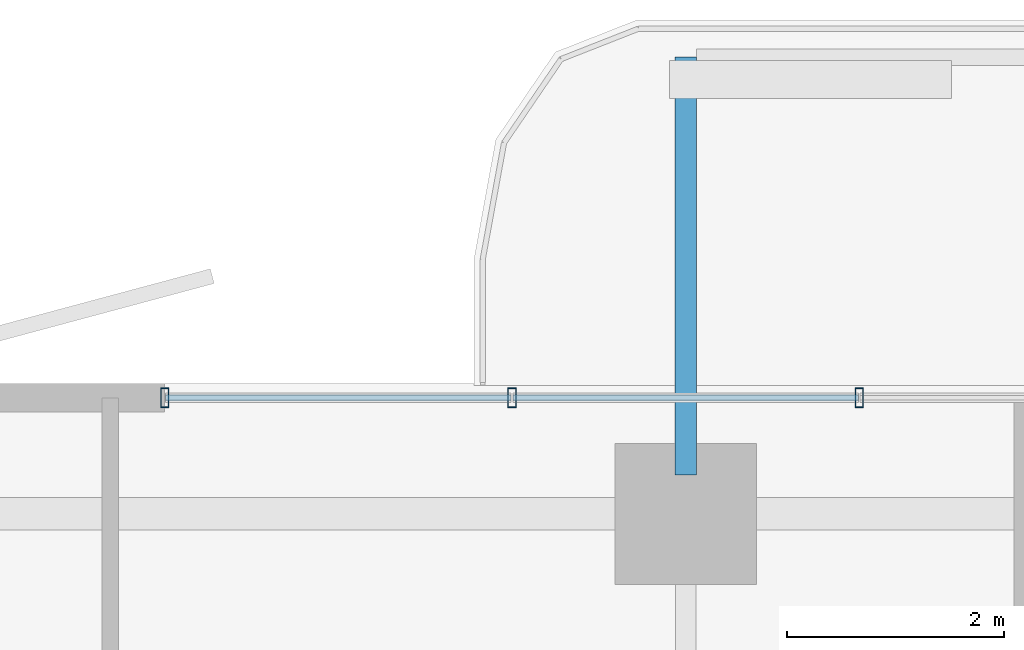
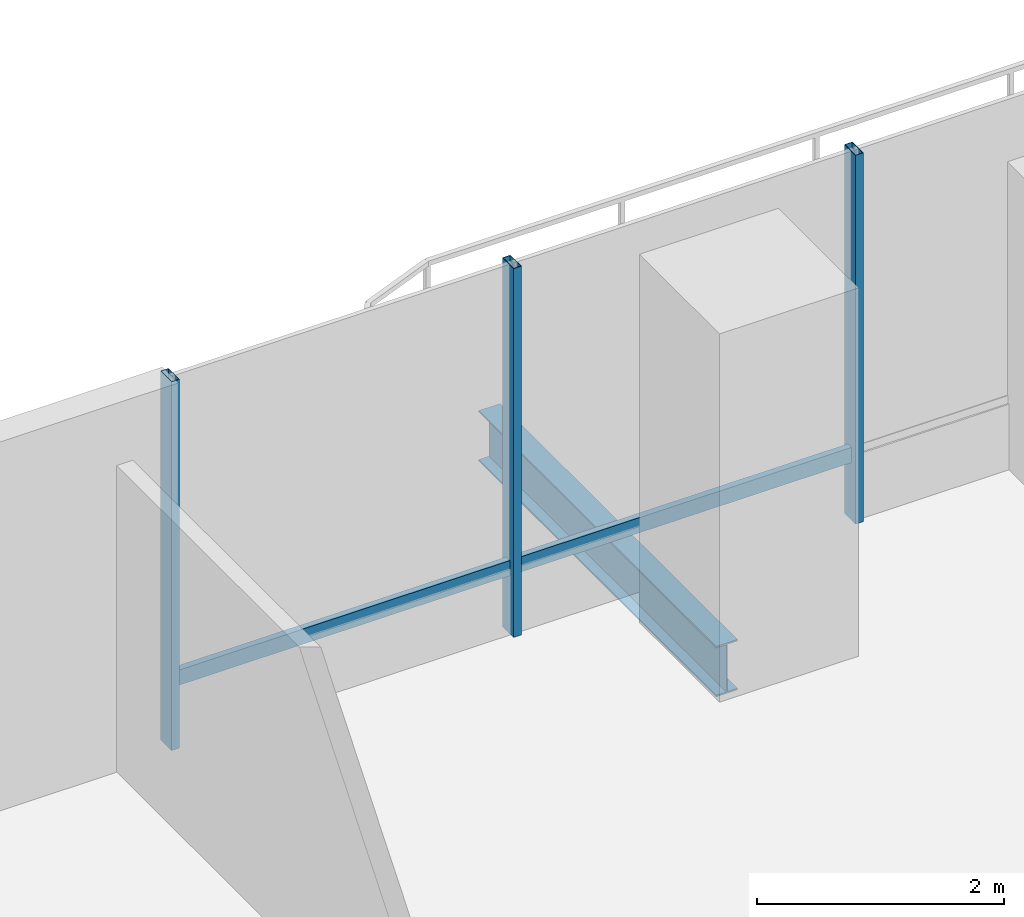
# One storey, part 11 of 23: 5 members, 1 beam, 1 element without a shape of its own.
"""IFC4 building model written with IfcOpenShell, lengths in metres."""

from ifc_helpers import new_model, si_unit, direction, frame, origin, origin_2d, place, context, subcontext, project, spatial, hollow_rectangle, i_section, extrude, material, layer, layer_set, material_profile, profile_set, type_object, element, aggregate, save


model = new_model("IFC4")

# Units and contexts
model_context = context("Model", 3, precision=1e-05, world=origin(), true_north=direction((0.0, 1.0)))
body_context = subcontext(model_context, "Body", "Model", "MODEL_VIEW")
ifc_project = project(units=[si_unit("LENGTHUNIT", "METRE"), si_unit("AREAUNIT", "SQUARE_METRE"), si_unit("VOLUMEUNIT", "CUBIC_METRE"), si_unit("PLANEANGLEUNIT", "RADIAN"), si_unit("MASSUNIT", "GRAM", prefix="KILO")], contexts=[model_context])

# Site, building, storey
site_placement = place(None, origin())
site = spatial("IfcSite", under=ifc_project, at=site_placement, CompositionType="ELEMENT")
building_placement = place(site_placement, origin())
building = spatial("IfcBuilding", under=site, at=building_placement, Name="Belovzor Exchange Tower", CompositionType="ELEMENT")
storey_placement = place(building_placement, frame((0.0, 0.0, 125.10009765625)))
storey = spatial("IfcBuildingStorey", under=building, at=storey_placement, Name="L30", CompositionType="ELEMENT", Elevation=125.10009765625)

# Beam
ifc_material_1 = material(Name="Steel S355", Category="steel")
ifc_material_profile_1 = material_profile(ifc_material_1, i_section(OverallWidth=0.199951171875, OverallDepth=0.5, WebThickness=0.01025390625, FlangeThickness=0.01611328125, at=origin_2d()))
ifc_profile_set_1 = profile_set([ifc_material_profile_1], Name="Steel S355")
beam_type = type_object("IfcBeamType", Name="Planted Balcony Cantilever Beam IPE 500", PredefinedType="BEAM", material=ifc_profile_set_1)
beam_placement = place(storey_placement, frame((28.800048828125, 54.05810546875, -0.5), z_axis=(0.0, 1.0, 0.0), x_axis=(-1.0, 0.0, 0.0)))
element("IfcBeam", 1, at=beam_placement, inside=storey, type_object=beam_type, Name="BC-500 Planted Balcony Cantilever Beam IPE 500", PredefinedType="BEAM", context=body_context, shape_type="SweptSolid", body=[
    extrude(i_section(OverallWidth=0.199951171875, OverallDepth=0.5, WebThickness=0.01025390625, FlangeThickness=0.01611328125, at=origin_2d()), origin(), (0.0, 0.0, 1.0), 3.849853515625),
])

# Curtain wall, members
ifc_material_2 = material(Name="Anodised Aluminium Framing", Category="aluminium")
ifc_layer = layer(ifc_material_2, 0.179931640625)
ifc_layer_set = layer_set([ifc_layer], Name="Anodised Aluminium Framing")
curtain_wall_type = type_object("IfcCurtainWallType", Name="Recessed Loggia Low-Iron Triple-Glazed Curtain Wall", PredefinedType="NOTDEFINED", material=ifc_layer_set)
curtain_wall_placement = place(storey_placement, origin())
curtain_wall = element("IfcCurtainWall", 2, at=curtain_wall_placement, inside=storey, type_object=curtain_wall_type, Name="CW3 Recessed Loggia Low-Iron Triple-Glazed Curtain Wall L30", PredefinedType="NOTDEFINED")
ifc_material_3 = material(Name="Steel S355", Category="steel")
ifc_material_profile_2 = material_profile(ifc_material_3, hollow_rectangle(XDim=0.074951171875, YDim=0.179931640625, WallThickness=0.0048828125, at=origin_2d()))
ifc_profile_set_2 = profile_set([ifc_material_profile_2], Name="Steel S355")
member_type_1 = type_object("IfcMemberType", Name="Thermally Broken Curtain Wall Mullion 180x75", PredefinedType="MULLION", material=ifc_profile_set_2)
member_1_placement = place(storey_placement, frame((24.0, 54.77001953125, 0.0), z_axis=(0.0, 0.0, 1.0), x_axis=(1.0, 0.0, 0.0)))
member_1 = element("IfcMember", 3, at=member_1_placement, type_object=member_type_1, Name="CW-M180 Curtain Wall Mullion 1", PredefinedType="MULLION", context=body_context, shape_type="SweptSolid", body=[
    extrude(hollow_rectangle(XDim=0.074951171875, YDim=0.179931640625, WallThickness=0.0048828125, at=origin_2d()), origin(), (0.0, 0.0, 1.0), 3.64990234375),
])
member_2_placement = place(storey_placement, frame((27.199951171875, 54.77001953125, 0.0), z_axis=(0.0, 0.0, 1.0), x_axis=(1.0, 0.0, 0.0)))
member_2 = element("IfcMember", 4, at=member_2_placement, type_object=member_type_1, Name="CW-M180 Curtain Wall Mullion 2", PredefinedType="MULLION", context=body_context, shape_type="SweptSolid", body=[
    extrude(hollow_rectangle(XDim=0.074951171875, YDim=0.179931640625, WallThickness=0.0048828125, at=origin_2d()), origin(), (0.0, 0.0, 1.0), 3.64990234375),
])
member_3_placement = place(storey_placement, frame((30.39990234375, 54.77001953125, 0.0), z_axis=(0.0, 0.0, 1.0), x_axis=(1.0, 0.0, 0.0)))
member_3 = element("IfcMember", 5, at=member_3_placement, type_object=member_type_1, Name="CW-M180 Curtain Wall Mullion 3", PredefinedType="MULLION", context=body_context, shape_type="SweptSolid", body=[
    extrude(hollow_rectangle(XDim=0.074951171875, YDim=0.179931640625, WallThickness=0.0048828125, at=origin_2d()), origin(), (0.0, 0.0, 1.0), 3.64990234375),
])
ifc_material_4 = material(Name="Steel S355", Category="steel")
ifc_material_profile_3 = material_profile(ifc_material_4, hollow_rectangle(XDim=0.06005859375, YDim=0.14990234375, WallThickness=0.00390625, at=origin_2d()))
ifc_profile_set_3 = profile_set([ifc_material_profile_3], Name="Steel S355")
member_type_2 = type_object("IfcMemberType", Name="Thermally Broken Curtain Wall Transom 150x60", PredefinedType="USERDEFINED", material=ifc_profile_set_3)
member_4_placement = place(storey_placement, frame((24.008056640625, 54.77001953125, 0.64990234375), z_axis=(1.0, 0.0, 0.0), x_axis=(0.0, 1.0, 0.0)))
member_4 = element("IfcMember", 6, at=member_4_placement, type_object=member_type_2, Name="CW-T150 Curtain Wall Transom 1", ObjectType="TRANSOM", PredefinedType="USERDEFINED", context=body_context, shape_type="SweptSolid", body=[
    extrude(hollow_rectangle(XDim=0.06005859375, YDim=0.14990234375, WallThickness=0.00390625, at=origin_2d()), origin(), (0.0, 0.0, 1.0), 3.183837890625),
])
member_5_placement = place(storey_placement, frame((27.2080078125, 54.77001953125, 0.64990234375), z_axis=(1.0, 0.0, 0.0), x_axis=(0.0, 1.0, 0.0)))
member_5 = element("IfcMember", 7, at=member_5_placement, type_object=member_type_2, Name="CW-T150 Curtain Wall Transom 2", ObjectType="TRANSOM", PredefinedType="USERDEFINED", context=body_context, shape_type="SweptSolid", body=[
    extrude(hollow_rectangle(XDim=0.06005859375, YDim=0.14990234375, WallThickness=0.00390625, at=origin_2d()), origin(), (0.0, 0.0, 1.0), 3.18408203125),
])
aggregate(curtain_wall, [member_1, member_2, member_3, member_4, member_5])

save(model, "model.ifc")
